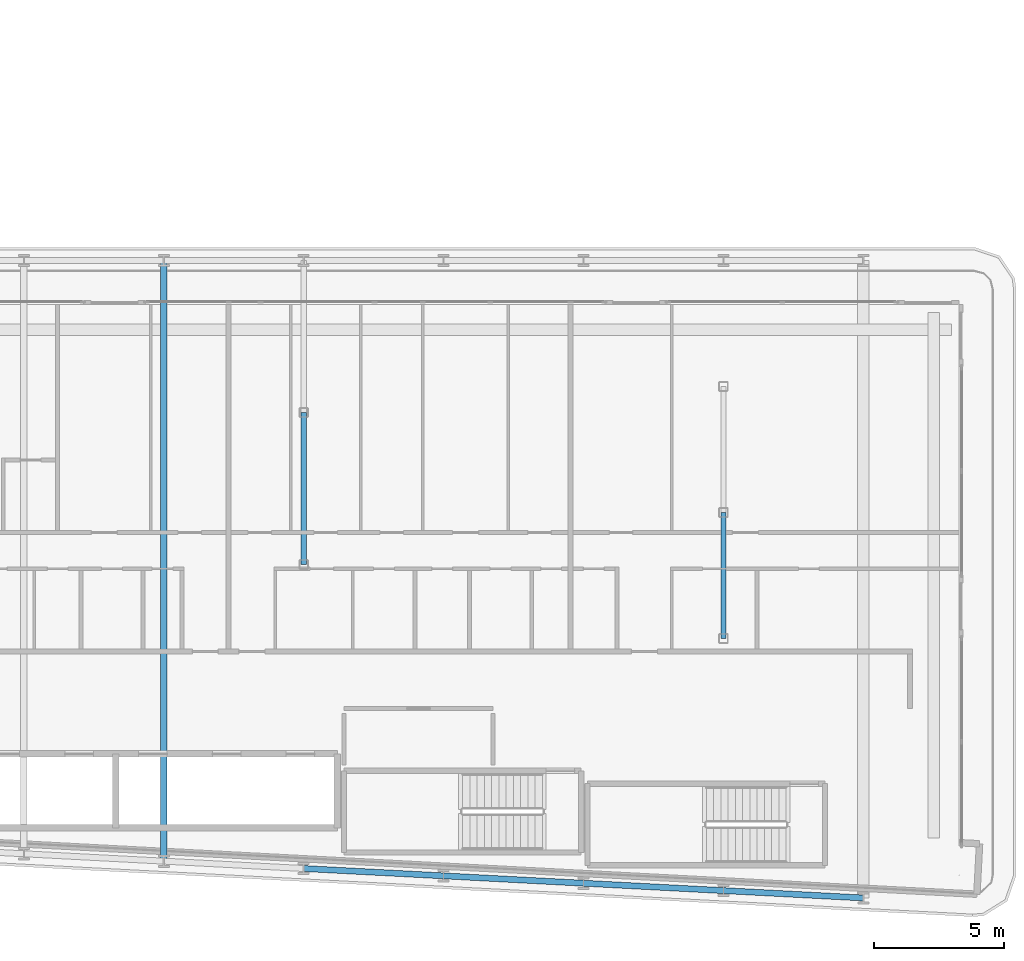
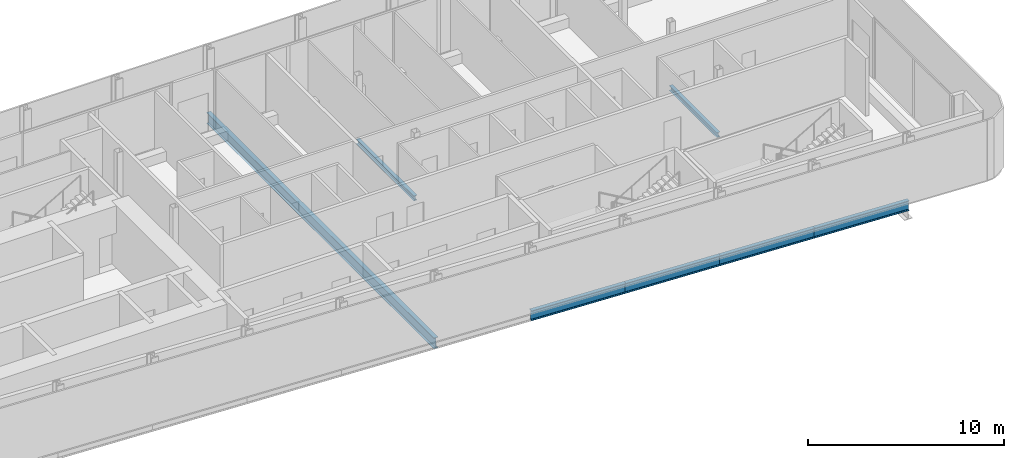
# One storey, part 5 of 28: 7 beams.
"""IFC4 building model written with IfcOpenShell, lengths in metres."""

from ifc_helpers import new_model, si_unit, direction, frame, origin, origin_2d, place, context, subcontext, project, spatial, i_section, extrude, material, material_profile, profile_set, type_object, element, save


model = new_model("IFC4")

# Units and contexts
model_context = context("Model", 3, precision=1e-05, world=origin(), true_north=direction((0.0, 1.0)))
body_context = subcontext(model_context, "Body", "Model", "MODEL_VIEW")
ifc_project = project(units=[si_unit("LENGTHUNIT", "METRE"), si_unit("AREAUNIT", "SQUARE_METRE"), si_unit("VOLUMEUNIT", "CUBIC_METRE"), si_unit("PLANEANGLEUNIT", "RADIAN"), si_unit("MASSUNIT", "GRAM", prefix="KILO")], contexts=[model_context])

# Site, building, storey
site_placement = place(None, origin())
site = spatial("IfcSite", under=ifc_project, at=site_placement, CompositionType="ELEMENT")
building_placement = place(site_placement, origin())
building = spatial("IfcBuilding", under=site, at=building_placement, Name="Kheshtan School and Residences Tower", CompositionType="ELEMENT")
storey_placement = place(building_placement, frame((0.0, 0.0, 42.199951171875)))
storey = spatial("IfcBuildingStorey", under=building, at=storey_placement, Name="L09", CompositionType="ELEMENT", Elevation=42.199951171875)

# Beams
ifc_material = material(Name="Steel ASTM A992 Grade 50", Category="steel")
ifc_material_profile_1 = material_profile(ifc_material, i_section(OverallWidth=0.202880859375, OverallDepth=0.302978515625, WebThickness=0.007568359375, FlangeThickness=0.01318359375, FilletRadius=0.009033203125, at=origin_2d()), Name="W310x60")
ifc_profile_set_1 = profile_set([ifc_material_profile_1], Name="Steel ASTM A992 Grade 50")
beam_type_1 = type_object("IfcBeamType", Name="Beam FB1 W310x60 ASTM A992 Grade 50", PredefinedType="BEAM", material=ifc_profile_set_1)
beam_1_placement = place(storey_placement, frame((85.39990234375, 31.0048828125, -0.301513671875), z_axis=(0.0, 1.0, 0.0), x_axis=(-1.0, 0.0, 0.0)))
element("IfcBeam", 1, at=beam_1_placement, inside=storey, type_object=beam_type_1, Name="Floor beam IC", PredefinedType="BEAM", context=body_context, shape_type="SweptSolid", body=[
    extrude(i_section(OverallWidth=0.202880859375, OverallDepth=0.302978515625, WebThickness=0.007568359375, FlangeThickness=0.01318359375, FilletRadius=0.009033203125, at=origin_2d()), origin(), (0.0, 0.0, 1.0), 4.865234375),
])
beam_2_placement = place(storey_placement, frame((69.199951171875, 33.863037109375, -0.301513671875), z_axis=(0.0, 1.0, 0.0), x_axis=(-1.0, 0.0, 0.0)))
element("IfcBeam", 2, at=beam_2_placement, inside=storey, type_object=beam_type_1, Name="Floor beam IC", PredefinedType="BEAM", context=body_context, shape_type="SweptSolid", body=[
    extrude(i_section(OverallWidth=0.202880859375, OverallDepth=0.302978515625, WebThickness=0.007568359375, FlangeThickness=0.01318359375, FilletRadius=0.009033203125, at=origin_2d()), origin(), (0.0, 0.0, 1.0), 5.868896484375),
])
ifc_material_profile_2 = material_profile(ifc_material, i_section(OverallWidth=0.2529296875, OverallDepth=0.677978515625, WebThickness=0.01171875, FlangeThickness=0.016357421875, FilletRadius=0.0146484375, at=origin_2d()), Name="W690x125")
ifc_profile_set_2 = profile_set([ifc_material_profile_2], Name="Steel ASTM A992 Grade 50")
beam_type_2 = type_object("IfcBeamType", Name="Beam FB6 W690x125 ASTM A992 Grade 50", PredefinedType="BEAM", material=ifc_profile_set_2)
beam_3_placement = place(storey_placement, frame((63.800048828125, 22.410888671875, -0.489013671875), z_axis=(0.0, 1.0, 0.0), x_axis=(-1.0, 0.0, 0.0)))
element("IfcBeam", 3, at=beam_3_placement, inside=storey, type_object=beam_type_2, Name="Floor beam C016", PredefinedType="BEAM", context=body_context, shape_type="SweptSolid", body=[
    extrude(i_section(OverallWidth=0.2529296875, OverallDepth=0.677978515625, WebThickness=0.01171875, FlangeThickness=0.016357421875, FilletRadius=0.0146484375, at=origin_2d()), origin(), (0.0, 0.0, 1.0), 23.189208984375),
])
ifc_material_profile_3 = material_profile(ifc_material, i_section(OverallWidth=0.22998046875, OverallDepth=0.616943359375, WebThickness=0.01318359375, FlangeThickness=0.022216796875, FilletRadius=0.0185546875, at=origin_2d()), Name="W610x140")
ifc_profile_set_3 = profile_set([ifc_material_profile_3], Name="Steel ASTM A992 Grade 50")
beam_type_3 = type_object("IfcBeamType", Name="Beam SP1 W610x140 ASTM A992 Grade 50", PredefinedType="BEAM", material=ifc_profile_set_3)
beam_4_placement = place(storey_placement, frame((90.800048828125, 20.989990234375, -0.45849609375), z_axis=(-0.998620571751, 0.05250670125, 0.0), x_axis=(-0.05250670125, -0.998620571751, 0.0)))
element("IfcBeam", 4, at=beam_4_placement, inside=storey, type_object=beam_type_3, Name="Spandrel beam C006-C008", PredefinedType="BEAM", context=body_context, shape_type="SweptSolid", body=[
    extrude(i_section(OverallWidth=0.22998046875, OverallDepth=0.616943359375, WebThickness=0.01318359375, FlangeThickness=0.022216796875, FilletRadius=0.0185546875, at=origin_2d()), origin(), (0.0, 0.0, 1.0), 5.40771484375),
])
for number, where, z_axis, x_axis, name in (
    (5, (85.39990234375, 21.27392578125, -0.45849609375), (-0.998618078766, 0.052554093665, 0.0), (-0.052554093665, -0.998618078766, 0.0), "Spandrel beam C008-C012"),
    (6, (80.0, 21.55810546875, -0.45849609375), (-0.998610961136, 0.052689166816, 0.0), (-0.052689166816, -0.998610961136, 0.0), "Spandrel beam C012-C013"),
):
    element("IfcBeam", number, at=place(storey_placement, frame(where, z_axis=z_axis, x_axis=x_axis)), inside=storey, type_object=beam_type_3, Name=name, PredefinedType="BEAM", context=body_context, shape_type="SweptSolid", body=[
        extrude(i_section(OverallWidth=0.22998046875, OverallDepth=0.616943359375, WebThickness=0.01318359375, FlangeThickness=0.022216796875, FilletRadius=0.0185546875, at=origin_2d()), origin(), (0.0, 0.0, 1.0), 5.407470703125),
    ])
beam_5_placement = place(storey_placement, frame((74.60009765625, 21.843017578125, -0.45849609375), z_axis=(-0.998620571751, 0.05250670125, 0.0), x_axis=(-0.05250670125, -0.998620571751, 0.0)))
element("IfcBeam", 7, at=beam_5_placement, inside=storey, type_object=beam_type_3, Name="Spandrel beam C013-C014", PredefinedType="BEAM", context=body_context, shape_type="SweptSolid", body=[
    extrude(i_section(OverallWidth=0.22998046875, OverallDepth=0.616943359375, WebThickness=0.01318359375, FlangeThickness=0.022216796875, FilletRadius=0.0185546875, at=origin_2d()), origin(), (0.0, 0.0, 1.0), 5.40771484375),
])

save(model, "model.ifc")
